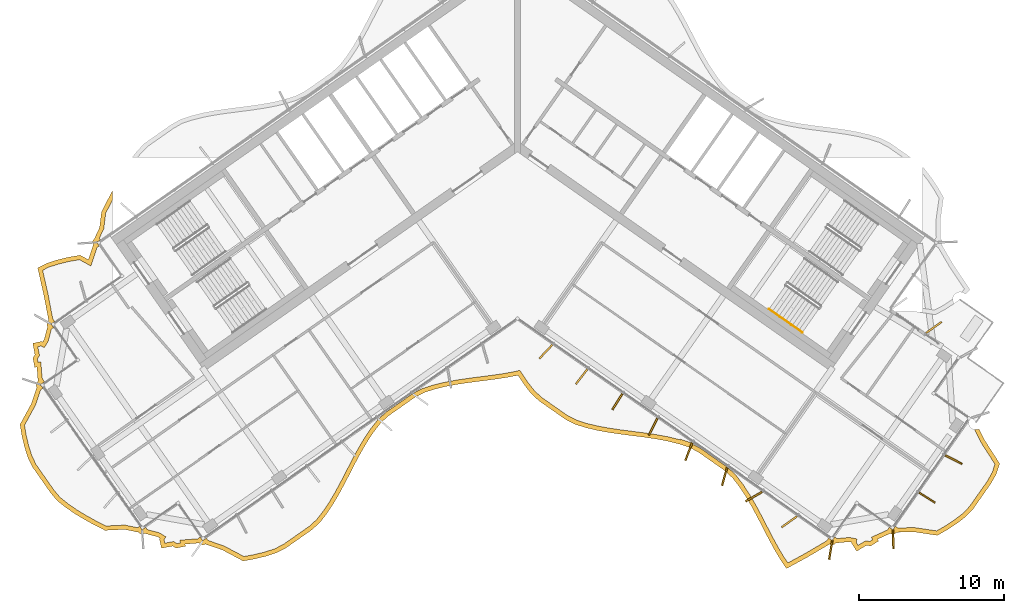
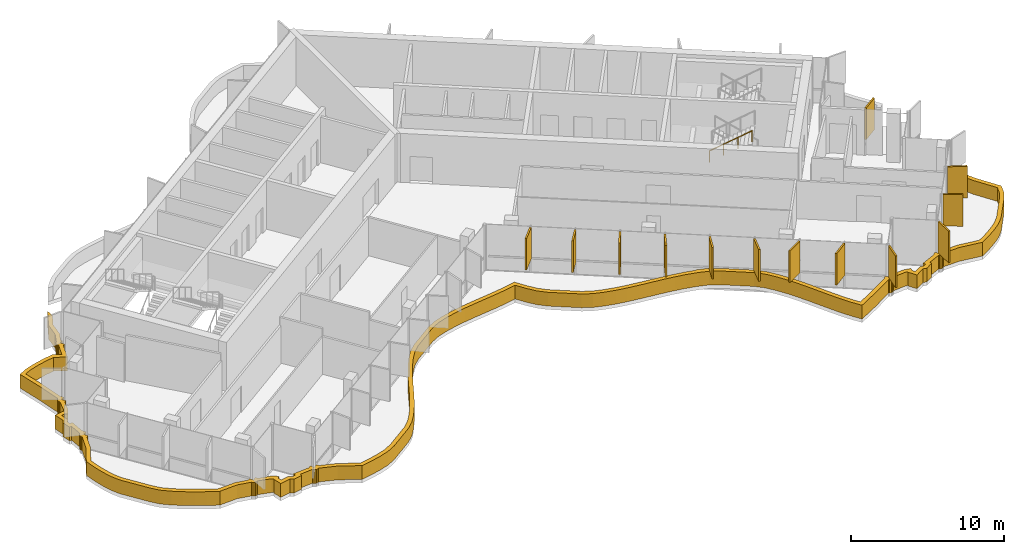
# One storey, part 17 of 20: 14 shading devices, 1 railing.
"""IFC4 building model written with IfcOpenShell, lengths in metres."""

import ifcopenshell
import ifcopenshell.guid

model = None  # the IFC model being written
_history = None  # IfcOwnerHistory: only IFC2X3 demands one
_inside = {}  # id of a spatial element -> (the spatial element, [elements in it])
_under = {}  # id of a project, library or spatial element -> (it, [spatial elements below it])
_declared = {}  # id of a project -> (the project, [libraries it declares])
_typed = {}  # id of a type object -> (the type object, [elements of that type])
_made_of = {}  # id of a material, layer set ... -> (it, [elements and type objects made of it])


def new_model(schema):
    """Start an empty IFC model of exactly this schema.

    Asked for "IFC4X3", IfcOpenShell would pick the latest addendum, in which some entities
    have other attributes; the version numbers below select the first issue.
    IFC2X3 requires an IfcOwnerHistory on every rooted entity: one is made here for all.
    """
    global model, _history
    if schema == "IFC4X3":
        model = ifcopenshell.file(schema_version=(4, 3, 0, 0))
    else:
        model = ifcopenshell.file(schema=schema)
    _inside.clear()
    _under.clear()
    _declared.clear()
    _typed.clear()
    _made_of.clear()
    _history = None
    if model.schema == "IFC2X3":
        org = make("IfcOrganization", Name="unknown")
        user = make(
            "IfcPersonAndOrganization",
            ThePerson=make("IfcPerson", FamilyName="unknown"),
            TheOrganization=org,
        )
        app = make(
            "IfcApplication",
            ApplicationDeveloper=org,
            Version="unknown",
            ApplicationFullName="unknown",
            ApplicationIdentifier="unknown",
        )
        _history = make(
            "IfcOwnerHistory",
            OwningUser=user,
            OwningApplication=app,
            ChangeAction="ADDED",
            CreationDate=0,
        )
    return model


def make(cls, **values):
    """One entity of the class cls with the attributes given. An attribute that is None is left unset."""
    return model.create_entity(
        cls, **{name: value for name, value in values.items() if value is not None}
    )


def rooted(cls, **values):
    """An entity with a GlobalId (a new one), such as an element, a storey or a relation."""
    return make(cls, GlobalId=ifcopenshell.guid.new(), OwnerHistory=_history, **values)


def si_unit(unit_type, name, prefix=None):
    """IfcSIUnit, for example si_unit("LENGTHUNIT", "METRE", prefix="MILLI")."""
    return make("IfcSIUnit", UnitType=unit_type, Prefix=prefix, Name=name)


def assignment(units):
    """IfcUnitAssignment: the units of a project."""
    return None if units is None else make("IfcUnitAssignment", Units=units)


def point(xyz):
    """IfcCartesianPoint."""
    return None if xyz is None else make("IfcCartesianPoint", Coordinates=xyz)


def direction(xyz):
    """IfcDirection."""
    return None if xyz is None else make("IfcDirection", DirectionRatios=xyz)


def frame(location, z_axis=None, x_axis=None):
    """IfcAxis2Placement3D, a coordinate frame: its origin and axes. An axis left out is left unset."""
    return make(
        "IfcAxis2Placement3D",
        Location=point(location),
        Axis=direction(z_axis),
        RefDirection=direction(x_axis),
    )


def frame_2d(location, x_axis=None):
    """IfcAxis2Placement2D, a coordinate frame in the plane: its origin and x axis."""
    return make(
        "IfcAxis2Placement2D", Location=point(location), RefDirection=direction(x_axis)
    )


def origin():
    """The frame at (0, 0, 0) with its axes left unset."""
    return frame((0.0, 0.0, 0.0))


def origin_2d():
    """The frame at (0, 0) in the plane with its x axis left unset."""
    return frame_2d((0.0, 0.0))


def place(relative_to, where):
    """IfcLocalPlacement: puts the frame where relative to a parent placement (None: the world)."""
    return make(
        "IfcLocalPlacement", PlacementRelTo=relative_to, RelativePlacement=where
    )


def context(
    kind, dimensions, precision=None, world=None, true_north=None, identifier=None
):
    """IfcGeometricRepresentationContext, for example the 3D "Model" context."""
    return make(
        "IfcGeometricRepresentationContext",
        ContextIdentifier=identifier,
        ContextType=kind,
        CoordinateSpaceDimension=dimensions,
        Precision=precision,
        WorldCoordinateSystem=world,
        TrueNorth=true_north,
    )


def subcontext(parent, identifier, kind, view, scale=None):
    """IfcGeometricRepresentationSubContext, for example "Body" below "Model"."""
    return make(
        "IfcGeometricRepresentationSubContext",
        ContextIdentifier=identifier,
        ContextType=kind,
        ParentContext=parent,
        TargetScale=scale,
        TargetView=view,
    )


def project(units=None, contexts=None):
    """IfcProject with its units and contexts."""
    return rooted(
        "IfcProject",
        Name="project",
        RepresentationContexts=contexts,
        UnitsInContext=assignment(units),
    )


def spatial(cls, under=None, at=None, **own):
    """A site, building, storey or space (cls), placed at a placement, below another one or the project."""
    s = rooted(cls, ObjectPlacement=at, **own)
    if under is not None:
        _under.setdefault(under.id(), (under, []))[1].append(s)
    return s


def polyline(points):
    """IfcPolyline through the points."""
    return make("IfcPolyline", Points=[point(p) for p in points])


def profile(cls, at=None, kind="AREA", **sizes):
    """A parametric profile (cls). Its sizes go by their IFC names, for example OverallWidth=200.0."""
    return make(cls, ProfileType=kind, Position=at, **sizes)


def rectangle(**sizes):
    """IfcRectangleProfileDef."""
    return profile("IfcRectangleProfileDef", **sizes)


def circle(**sizes):
    """IfcCircleProfileDef."""
    return profile("IfcCircleProfileDef", **sizes)


def outline(outer, holes=None, kind="AREA"):
    """IfcArbitraryClosedProfileDef: a profile drawn as a closed curve; with holes, ...WithVoids."""
    if holes is None:
        return make("IfcArbitraryClosedProfileDef", ProfileType=kind, OuterCurve=outer)
    return make(
        "IfcArbitraryProfileDefWithVoids",
        ProfileType=kind,
        OuterCurve=outer,
        InnerCurves=holes,
    )


def extrude(swept, where, along, depth):
    """IfcExtrudedAreaSolid: the profile swept, set in the frame where, extruded along a direction by depth."""
    return make(
        "IfcExtrudedAreaSolid",
        SweptArea=swept,
        Position=where,
        ExtrudedDirection=direction(along),
        Depth=depth,
    )


def shape(context_of_items, identifier, shape_type, items):
    """IfcShapeRepresentation: the items that make up one representation, for example the "Body"."""
    return make(
        "IfcShapeRepresentation",
        ContextOfItems=context_of_items,
        RepresentationIdentifier=identifier,
        RepresentationType=shape_type,
        Items=items,
    )


def material(Name=None, Category=None):
    """IfcMaterial."""
    return make("IfcMaterial", Name=Name, Category=Category)


def layer(
    of_material, thickness, ventilated=None, Name=None, Category=None, Priority=None
):
    """IfcMaterialLayer: one layer of a wall or slab, of a material (None: an air gap)."""
    return make(
        "IfcMaterialLayer",
        Material=of_material,
        LayerThickness=thickness,
        IsVentilated=ventilated,
        Name=Name,
        Category=Category,
        Priority=Priority,
    )


def layer_set(layers, Name=None):
    """IfcMaterialLayerSet."""
    return make("IfcMaterialLayerSet", MaterialLayers=layers, LayerSetName=Name)


def made_of(thing, what):
    """Note that an element or type object is made of a material, layer set ...; save() writes the relation."""
    if what is not None:
        _made_of.setdefault(what.id(), (what, []))[1].append(thing)
    return thing


def type_object(cls, material=None, **own):
    """A type object (cls), such as IfcWallType, which elements share."""
    return made_of(rooted(cls, **own), material)


def element(
    cls,
    number,
    at=None,
    inside=None,
    cuts=None,
    type_object=None,
    material=None,
    context=None,
    identifier="Body",
    shape_type=None,
    held_by="IfcProductDefinitionShape",
    body=None,
    shapes=None,
    **own,
):
    """One element of the class cls, such as IfcWall. Its Tag is "e" and its number.

    at: its placement. inside: the storey or other place that contains it. cuts: it is an
    opening in that element (IfcRelVoidsElement). A single representation is given by context,
    identifier, shape_type and body (its items); several are given by shapes. held_by: the class
    of the entity that holds the representations. save() writes the other relations.
    """
    e = rooted(cls, Tag="e%d" % number, ObjectPlacement=at, **own)
    if body is not None:
        shapes = [shape(context, identifier, shape_type, body)]
    if shapes is not None:
        e.Representation = make(held_by, Representations=shapes)
    if inside is not None:
        _inside.setdefault(inside.id(), (inside, []))[1].append(e)
    if cuts is not None:
        rooted(
            "IfcRelVoidsElement", RelatingBuildingElement=cuts, RelatedOpeningElement=e
        )
    if type_object is not None:
        _typed.setdefault(type_object.id(), (type_object, []))[1].append(e)
    return made_of(e, material)


def aggregate(whole, parts):
    """IfcRelAggregates: a whole, such as a stair, and the parts it consists of."""
    return rooted("IfcRelAggregates", RelatingObject=whole, RelatedObjects=parts)


def save(model, path):
    """Write the relations noted so far, then the file.

    IfcRelAggregates (storeys below a building ...), IfcRelContainedInSpatialStructure (elements
    in a storey), IfcRelDefinesByType, IfcRelAssociatesMaterial and IfcRelDeclares: one each for
    every whole, place, type object, material and project.
    """
    for whole, parts in _under.values():
        aggregate(whole, parts)
    for where, things in _inside.values():
        rooted(
            "IfcRelContainedInSpatialStructure",
            RelatedElements=things,
            RelatingStructure=where,
        )
    for kind, things in _typed.values():
        rooted("IfcRelDefinesByType", RelatedObjects=things, RelatingType=kind)
    for what, things in _made_of.values():
        rooted("IfcRelAssociatesMaterial", RelatedObjects=things, RelatingMaterial=what)
    for by, libraries in _declared.values():
        rooted("IfcRelDeclares", RelatingContext=by, RelatedDefinitions=libraries)
    model.write(path)


model = new_model("IFC4")

# Units and contexts
model_context = context("Model", 3, precision=1e-05, world=origin(), true_north=direction((0.0, 1.0)))
body_context = subcontext(model_context, "Body", "Model", "MODEL_VIEW")
ifc_project = project(units=[si_unit("LENGTHUNIT", "METRE"), si_unit("AREAUNIT", "SQUARE_METRE"), si_unit("VOLUMEUNIT", "CUBIC_METRE"), si_unit("PLANEANGLEUNIT", "RADIAN"), si_unit("MASSUNIT", "GRAM", prefix="KILO")], contexts=[model_context])

# Site, building, storey
site_placement = place(None, origin())
site = spatial("IfcSite", under=ifc_project, at=site_placement, CompositionType="ELEMENT")
building_placement = place(site_placement, origin())
building = spatial("IfcBuilding", under=site, at=building_placement, Name="Tel Ilan Convention Tower", CompositionType="ELEMENT")
storey_placement = place(building_placement, frame((0.0, 0.0, 248.800048828125)))
storey = spatial("IfcBuildingStorey", under=building, at=storey_placement, Name="L58", CompositionType="ELEMENT", Elevation=248.800048828125)

# Shading devices
ifc_material_1 = material(Name="Aluminium, bronze anodised", Category="aluminium")
ifc_layer_1 = layer(ifc_material_1, 0.1201171875)
ifc_layer_set_1 = layer_set([ifc_layer_1], Name="FIN BRONZE 1300x120")
shading_device_type_1 = type_object("IfcShadingDeviceType", Name="FIN BRONZE 1300x120", PredefinedType="USERDEFINED", material=ifc_layer_set_1)
for number, where, z_axis, x_axis, name in (
    (1, (28.662353515625, -13.315673828125, 1.099853515625), (0.0, 0.0, 1.0), (0.813552070258, 0.581492071294, 0.0), "FIN"),
    (2, (1.95654296875, -14.983154296875, 1.099853515625), (0.0, 0.0, 1.0), (-0.686241637865, -0.727373641577, 0.0), "FIN"),
    (3, (4.414794921875, -16.704833984375, 1.099853515625), (0.0, 0.0, 1.0), (-0.612600545196, -0.790392669516, 0.0), "FIN"),
    (4, (6.87353515625, -18.426513671875, 1.099853515625), (0.0, 0.0, 1.0), (-0.533204432798, -0.845986425922, 0.0), "FIN"),
    (5, (9.332275390625, -20.14794921875, 1.099853515625), (0.0, 0.0, 1.0), (-0.448799180206, -0.893632640321, 0.0), "FIN"),
    (6, (11.7939453125, -21.863525390625, 1.099853515625), (0.0, 0.0, 1.0), (-0.360177724803, -0.932883704733, 0.0), "FIN"),
    (7, (14.2578125, -23.573486328125, 1.099853515625), (0.0, 0.0, 1.0), (-0.268172612768, -0.963370878614, 0.0), "FIN"),
    (8, (16.273193359375, -24.962158203125, 1.099853515625), (0.0, 0.0, 1.0), (-0.866025403784, -0.5, 0.0), "FIN"),
    (9, (18.717529296875, -26.6962890625, 1.099853515625), (0.0, 0.0, 1.0), (-0.813552070258, -0.581492071294, 0.0), "FIN"),
    (10, (21.5615234375, -28.6484375, 1.099853515625), (0.0, 0.0, 1.0), (-0.16409119891, -0.986445172547, 0.0), "FIN"),
    (11, (25.86328125, -27.908935546875, 1.099853515625), (0.0, 0.0, 1.0), (0.029084718749, -0.999576950082, 0.0), "FIN"),
    (12, (28.192138671875, -25.032470703125, 1.099853515625), (0.0, 0.0, 1.0), (0.845986425922, -0.533204432798, 0.0), "FIN"),
    (13, (30.02490234375, -22.414306640625, 1.099853515625), (0.0, 0.0, 1.0), (0.893632640321, -0.448799180206, 0.0), "FIN"),
):
    element("IfcShadingDevice", number, at=place(storey_placement, frame(where, z_axis=z_axis, x_axis=x_axis)), inside=storey, type_object=shading_device_type_1, Name=name, ObjectType="FIN", PredefinedType="USERDEFINED", context=body_context, shape_type="SweptSolid", body=[
        extrude(rectangle(XDim=1.300048828125, YDim=0.1201171875, at=origin_2d()), origin(), (0.0, 0.0, 1.0), 2.52001953125),
    ])
ifc_material_2 = material(Name="Aluminium, bronze anodised", Category="aluminium")
ifc_layer_2 = layer(ifc_material_2, 0.300048828125)
ifc_layer_set_2 = layer_set([ifc_layer_2], Name="LOUVRE BAND 300x1100")
shading_device_type_2 = type_object("IfcShadingDeviceType", Name="LOUVRE BAND 300x1100", PredefinedType="USERDEFINED", material=ifc_layer_set_2)
shading_device_placement = place(storey_placement, origin())
element("IfcShadingDevice", 14, at=shading_device_placement, inside=storey, type_object=shading_device_type_2, Name="LOUVRE BAND 45.01", ObjectType="LOUVRE", PredefinedType="USERDEFINED", context=body_context, shape_type="SweptSolid", body=[
    extrude(outline(polyline([(-33.47021484375, -18.574462890625), (-34.248779296875, -19.995849609375), (-34.1181640625, -20.780517578125), (-33.940185546875, -21.531982421875), (-33.7158203125, -22.2509765625), (-33.401611328125, -22.906982421875), (-32.166748046875, -24.670654296875), (-31.707763671875, -25.22509765625), (-31.125732421875, -25.69384765625), (-30.49462890625, -26.1279296875), (-29.82373046875, -26.5341796875), (-29.12353515625, -26.920166015625), (-28.398193359375, -27.288330078125), (-27.05419921875, -27.223388671875), (-26.083984375, -27.420166015625), (-26.05517578125, -27.46337890625), (-25.957763671875, -27.5283203125), (-25.843017578125, -27.55126953125), (-25.728271484375, -27.5283203125), (-25.674072265625, -27.492431640625), (-24.7724609375, -27.73388671875), (-24.61669921875, -27.828857421875), (-24.64697265625, -27.878662109375), (-24.51416015625, -28.518310546875), (-23.728759765625, -28.3701171875), (-23.49462890625, -28.5126953125), (-22.855224609375, -28.3798828125), (-22.8828125, -28.233154296875), (-21.90576171875, -28.15673828125), (-21.876953125, -28.2001953125), (-21.779541015625, -28.26513671875), (-21.664794921875, -28.2880859375), (-21.550048828125, -28.26513671875), (-21.49609375, -28.22900390625), (-20.311279296875, -28.64013671875), (-18.883544921875, -29.3984375), (-18.087646484375, -29.25439453125), (-17.32080078125, -29.068359375), (-16.588623046875, -28.833251953125), (-15.931640625, -28.490478515625), (-14.12646484375, -27.226318359375), (-13.582763671875, -26.721923828125), (-13.1123046875, -26.113037109375), (-12.67626953125, -25.454833984375), (-12.267333984375, -24.7578125), (-11.877197265625, -24.0341796875), (-11.11572265625, -22.56005859375), (-10.724853515625, -21.83740234375), (-10.314697265625, -21.142333984375), (-9.877197265625, -20.486572265625), (-9.404541015625, -19.88037109375), (-8.85498046875, -19.384765625), (-7.049560546875, -18.12060546875), (-6.386474609375, -17.78662109375), (-5.65234375, -17.55419921875), (-4.884033203125, -17.370849609375), (-4.088623046875, -17.225830078125), (-3.274658203125, -17.107421875), (-1.629150390625, -16.895751953125), (-0.816650390625, -16.775146484375), (0.033203125, -16.6123046875), (0.470458984375, -17.269775390625), (0.94189453125, -17.877197265625), (1.488525390625, -18.377197265625), (3.2939453125, -19.641357421875), (3.953857421875, -19.979736328125), (4.68701171875, -20.213623046875), (5.45458984375, -20.398193359375), (6.24951171875, -20.5439453125), (7.06298828125, -20.6630859375), (8.70849609375, -20.87451171875), (9.521240234375, -20.99462890625), (10.314697265625, -21.142333984375), (11.080810546875, -21.329345703125), (11.811767578125, -21.56591796875), (12.4658203125, -21.912841796875), (14.27099609375, -23.177001953125), (14.811767578125, -23.685791015625), (15.28125, -24.29638671875), (15.71630859375, -24.95556640625), (16.12451171875, -25.653564453125), (16.51416015625, -26.3779296875), (17.27587890625, -27.851806640625), (17.6669921875, -28.573974609375), (18.077880859375, -29.26806640625), (18.5185546875, -29.91943359375), (19.969482421875, -29.128173828125), (21.49609375, -28.22900390625), (21.550048828125, -28.26513671875), (21.664794921875, -28.2880859375), (21.779541015625, -28.26513671875), (21.876953125, -28.2001953125), (21.90576171875, -28.15673828125), (22.8359375, -28.075439453125), (23.0146484375, -28.111328125), (23.003173828125, -28.168701171875), (23.3466796875, -28.72412109375), (24.0341796875, -28.316162109375), (24.302734375, -28.370361328125), (24.8583984375, -28.02685546875), (24.7822265625, -27.8984375), (25.674072265625, -27.492431640625), (25.728271484375, -27.5283203125), (25.843017578125, -27.55126953125), (25.957763671875, -27.5283203125), (26.05517578125, -27.46337890625), (26.083984375, -27.420166015625), (27.309326171875, -27.395263671875), (28.911376953125, -27.634521484375), (29.60546875, -27.237548828125), (30.25439453125, -26.809326171875), (30.856201171875, -26.347900390625), (31.3623046875, -25.819580078125), (32.6064453125, -24.042724609375), (32.962646484375, -23.409423828125), (33.192138671875, -22.687255859375), (32.166015625, -21.086181640625), (31.7763671875, -20.3115234375), (31.70458984375, -20.33837890625), (31.608154296875, -20.35546875), (31.510009765625, -20.353271484375), (31.456787109375, -20.34423828125), (31.905029296875, -21.23486328125), (32.863525390625, -22.730712890625), (32.68603515625, -23.289306640625), (32.352294921875, -23.8828125), (31.129638671875, -25.628662109375), (30.6552734375, -26.123779296875), (30.080322265625, -26.56494140625), (29.4482421875, -26.98193359375), (28.852783203125, -27.322265625), (27.328125, -27.0947265625), (26.18017578125, -27.12109375), (26.01513671875, -27.005615234375), (25.843017578125, -27.251220703125), (25.5966796875, -27.079833984375), (25.472412109375, -27.257568359375), (24.35302734375, -27.762939453125), (24.4501953125, -27.926513671875), (24.245849609375, -28.052734375), (23.980224609375, -27.99951171875), (23.447021484375, -28.31591796875), (23.32080078125, -28.111572265625), (23.367919921875, -27.87646484375), (22.85205078125, -27.772705078125), (21.99267578125, -27.851318359375), (21.8369140625, -27.7421875), (21.664794921875, -27.988037109375), (21.418701171875, -27.816650390625), (21.284423828125, -28.008056640625), (19.82177734375, -28.866943359375), (18.6142578125, -29.525634765625), (18.331298828125, -29.107666015625), (17.92822265625, -28.426025390625), (17.541015625, -27.71142578125), (16.779541015625, -26.238037109375), (16.38623046875, -25.506591796875), (15.97119140625, -24.797119140625), (15.525634765625, -24.1220703125), (15.034912109375, -23.48388671875), (14.4609375, -22.94384765625), (12.62255859375, -21.656494140625), (11.9384765625, -21.29345703125), (11.96337890625, -21.2578125), (11.190673828125, -21.007568359375), (11.18603515625, -21.016845703125), (11.268798828125, -21.074951171875), (11.16259765625, -21.04052734375), (10.3779296875, -20.848876953125), (9.570556640625, -20.69873046875), (8.749755859375, -20.577392578125), (7.103759765625, -20.36572265625), (6.29833984375, -20.248046875), (5.516845703125, -20.1044921875), (4.767822265625, -19.924560546875), (4.068603515625, -19.701416015625), (3.44921875, -19.3837890625), (1.6767578125, -18.142822265625), (1.163330078125, -17.673095703125), (0.714111328125, -17.094482421875), (0.165771484375, -16.269775390625), (-0.087890625, -16.33349609375), (-0.866455078125, -16.479248046875), (-1.67041015625, -16.5986328125), (-3.315185546875, -16.81005859375), (-4.136962890625, -16.9296875), (-4.945556640625, -17.0771484375), (-5.732666015625, -17.264892578125), (-6.5, -17.5078125), (-7.203857421875, -17.8623046875), (-9.042236328125, -19.1494140625), (-9.625, -19.67529296875), (-10.12060546875, -20.310791015625), (-10.56884765625, -20.982666015625), (-10.986083984375, -21.68994140625), (-11.380859375, -22.419677734375), (-12.142578125, -23.89404296875), (-12.529052734375, -24.61083984375), (-12.930908203125, -25.2958984375), (-13.356201171875, -25.938232421875), (-13.804931640625, -26.518798828125), (-14.315185546875, -26.992431640625), (-16.087890625, -28.233642578125), (-16.704833984375, -28.555419921875), (-17.402099609375, -28.779541015625), (-18.149658203125, -28.960693359375), (-18.83447265625, -29.084716796875), (-20.19140625, -28.3642578125), (-21.302978515625, -27.981689453125), (-21.418701171875, -27.816650390625), (-21.664794921875, -27.988037109375), (-21.8369140625, -27.7421875), (-22.01513671875, -27.8671875), (-23.239990234375, -27.959228515625), (-23.20458984375, -28.14599609375), (-23.439697265625, -28.19482421875), (-23.671142578125, -28.053955078125), (-24.2802734375, -28.1689453125), (-24.3291015625, -27.933837890625), (-24.204345703125, -27.72900390625), (-24.65380859375, -27.455078125), (-25.48828125, -27.23486328125), (-25.5966796875, -27.079833984375), (-25.843017578125, -27.251220703125), (-26.01513671875, -27.005615234375), (-26.15478515625, -27.103271484375), (-27.03076171875, -26.921875), (-28.333251953125, -26.98486328125), (-28.983154296875, -26.65478515625), (-29.673583984375, -26.2744140625), (-30.331787109375, -25.8759765625), (-30.946533203125, -25.453125), (-31.495849609375, -25.010498046875), (-31.927978515625, -24.488525390625), (-33.141845703125, -22.755126953125), (-33.43603515625, -22.140869140625), (-33.650634765625, -21.45263671875), (-33.823974609375, -20.72119140625), (-33.935791015625, -20.048828125), (-33.1943359375, -18.6953125), (-32.833251953125, -17.61865234375), (-32.66845703125, -17.50341796875), (-32.840576171875, -17.257568359375), (-32.56201171875, -17.0625), (-32.6806640625, -16.893310546875), (-32.688720703125, -16.78515625), (-32.726806640625, -16.811767578125), (-32.811767578125, -15.6826171875), (-32.998779296875, -15.7177734375), (-33.047607421875, -15.482666015625), (-32.906494140625, -15.251220703125), (-33.021484375, -14.64208984375), (-32.786376953125, -14.59326171875), (-32.58154296875, -14.718017578125), (-32.3076171875, -14.268798828125), (-32.087646484375, -13.434326171875), (-31.932373046875, -13.32568359375), (-32.103759765625, -13.079345703125), (-31.858154296875, -12.9072265625), (-31.993408203125, -12.714111328125), (-32.314697265625, -11.033447265625), (-32.68798828125, -9.385986328125), (-32.26708984375, -9.168701171875), (-31.5771484375, -8.950439453125), (-30.838623046875, -8.77392578125), (-30.161376953125, -8.65625), (-29.363525390625, -9.087646484375), (-28.950439453125, -7.8193359375), (-28.787353515625, -7.705322265625), (-28.958740234375, -7.458984375), (-28.713134765625, -7.286865234375), (-28.785888671875, -7.182861328125), (-28.480224609375, -6.525634765625), (-28.343994140625, -5.44384765625), (-27.874755859375, -4.536376953125), (-27.874755859375, -3.881103515625), (-28.635009765625, -5.353271484375), (-28.772216796875, -6.441650390625), (-29.127685546875, -7.218017578125), (-29.1708984375, -7.246826171875), (-29.236083984375, -7.34423828125), (-29.2587890625, -7.458984375), (-29.236083984375, -7.57373046875), (-29.199951171875, -7.6279296875), (-29.537353515625, -8.652587890625), (-30.110107421875, -8.3427734375), (-30.899169921875, -8.47998046875), (-31.6572265625, -8.661376953125), (-32.3818359375, -8.890380859375), (-33.031982421875, -9.225830078125), (-32.6083984375, -11.094970703125), (-32.272705078125, -12.83837890625), (-32.31591796875, -12.8671875), (-32.381103515625, -12.964599609375), (-32.40380859375, -13.079345703125), (-32.381103515625, -13.1943359375), (-32.344970703125, -13.248291015625), (-32.586669921875, -14.14990234375), (-32.681640625, -14.3056640625), (-32.7314453125, -14.275390625), (-33.370849609375, -14.408203125), (-33.22265625, -15.193603515625), (-33.365478515625, -15.427734375), (-33.232666015625, -16.067138671875), (-33.0859375, -16.03955078125), (-33.009521484375, -17.0166015625), (-33.052734375, -17.04541015625), (-33.11767578125, -17.142822265625), (-33.140625, -17.257568359375), (-33.11767578125, -17.372314453125), (-33.081787109375, -17.426513671875), (-33.47021484375, -18.574462890625)])), origin(), (0.0, 0.0, 1.0), 1.099853515625),
])

# Railing
ifc_material_3 = material(Name="Stainless Steel Grade 316", Category="steel")
railing_type = type_object("IfcRailingType", Name="Stainless Steel Stair Handrail 900 mm", PredefinedType="HANDRAIL", material=ifc_material_3)
railing_placement = place(storey_placement, frame((17.312744140625, -12.0615234375, 2.127197265625)))
element("IfcRailing", 15, at=railing_placement, inside=storey, type_object=railing_type, Name="L58 S4 stair handrail 2", PredefinedType="HANDRAIL", context=body_context, shape_type="SweptSolid", body=[
    extrude(circle(Radius=0.02392578125, at=origin_2d()), frame((0.0, 0.0, 0.8759765625), z_axis=(0.692123088272, -0.484596665743, 0.534912798717), x_axis=(0.573550118428, 0.819170471667, 0.0)), (0.0, 0.0, 1.0), 3.31396484375),
    extrude(circle(Radius=0.02099609375, at=origin_2d()), origin(), (0.0, 0.0, 1.0), 0.851806640625),
    extrude(circle(Radius=0.02099609375, at=origin_2d()), frame((0.7646484375, -0.535400390625, 0.5908203125)), (0.0, 0.0, 1.0), 0.851806640625),
    extrude(circle(Radius=0.02099609375, at=origin_2d()), frame((1.529052734375, -1.070556640625, 1.181884765625)), (0.0, 0.0, 1.0), 0.851806640625),
    extrude(circle(Radius=0.02099609375, at=origin_2d()), frame((2.293701171875, -1.60595703125, 1.772705078125)), (0.0, 0.0, 1.0), 0.851806640625),
])

save(model, "model.ifc")
